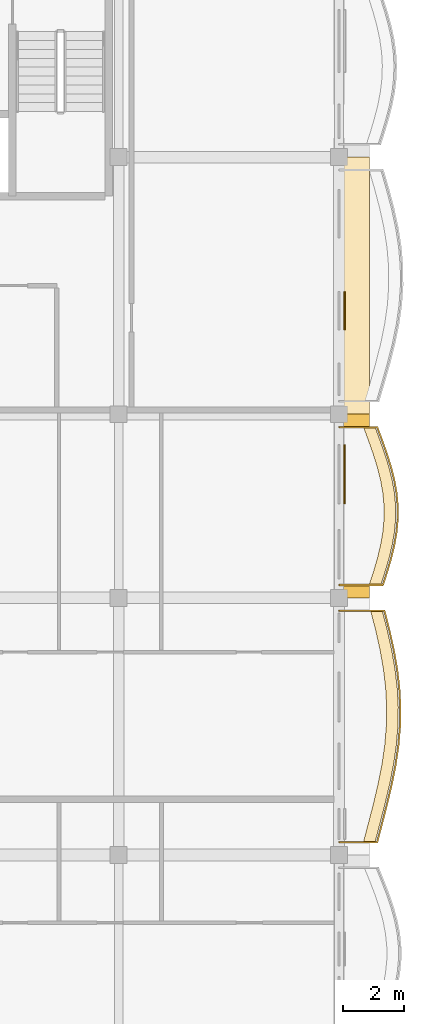
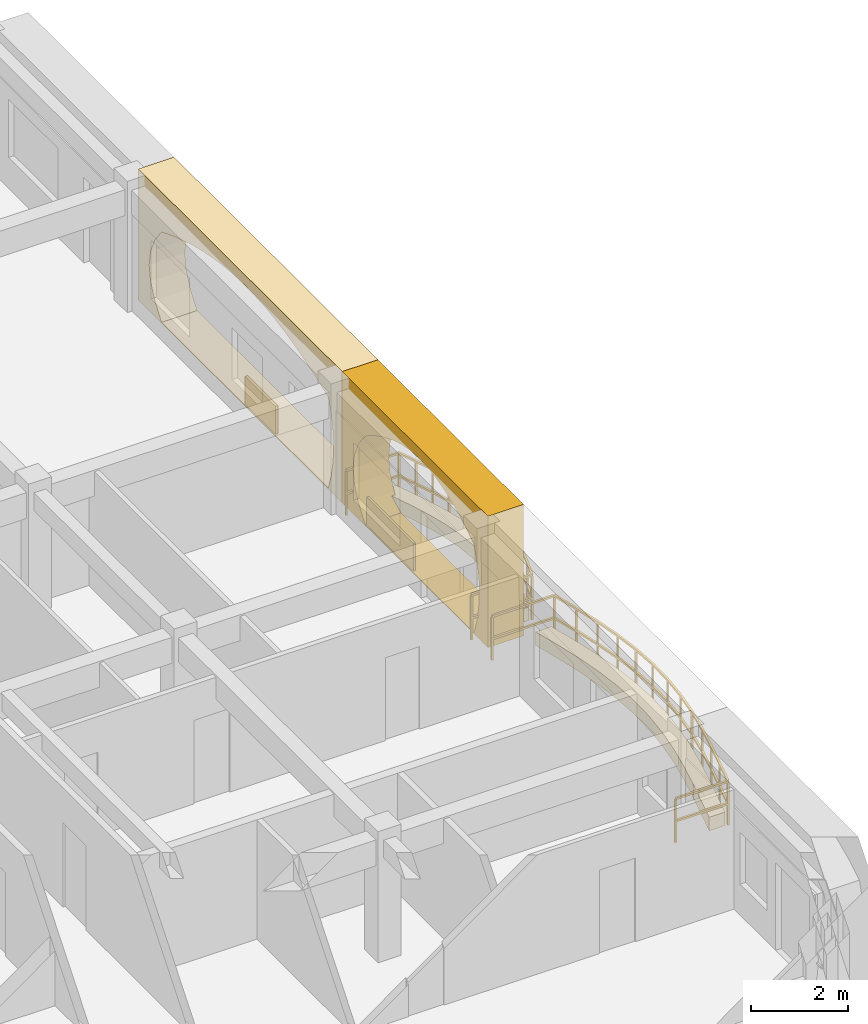
# One storey, part 72 of 79: 6 coverings, 2 railings.
"""IFC4 building model written with IfcOpenShell, lengths in metres."""

from ifc_helpers import new_model, si_unit, direction, frame, origin, origin_2d, place, context, subcontext, project, spatial, polyline, rectangle, outline, extrude, material, layer, layer_set, type_object, element, save


model = new_model("IFC4")

# Units and contexts
model_context = context("Model", 3, precision=1e-05, world=origin(), true_north=direction((0.0, 1.0)))
body_context = subcontext(model_context, "Body", "Model", "MODEL_VIEW")
ifc_project = project(units=[si_unit("LENGTHUNIT", "METRE"), si_unit("AREAUNIT", "SQUARE_METRE"), si_unit("VOLUMEUNIT", "CUBIC_METRE"), si_unit("PLANEANGLEUNIT", "RADIAN"), si_unit("MASSUNIT", "GRAM", prefix="KILO"), si_unit("THERMODYNAMICTEMPERATUREUNIT", "KELVIN")], contexts=[model_context])

# Site, building, storey
site_placement = place(None, origin())
site = spatial("IfcSite", under=ifc_project, at=site_placement, CompositionType="ELEMENT")
building_placement = place(site_placement, origin())
building = spatial("IfcBuilding", under=site, at=building_placement, Name="Thalorik Housing Commons", CompositionType="ELEMENT")
storey_placement = place(building_placement, frame((0.0, 0.0, 11.39990234375)))
storey = spatial("IfcBuildingStorey", under=building, at=storey_placement, Name="L03", CompositionType="ELEMENT", Elevation=11.39990234375)

# Coverings
ifc_material_1 = material(Name="Cobalt blue glazed ceramic facade tile panel", Category="masonry")
ifc_layer_1 = layer(ifc_material_1, 0.06005859375, Name="Cobalt blue glazed ceramic facade tile panel", Category="masonry")
ifc_layer_set_1 = layer_set([ifc_layer_1], Name="Cobalt blue glazed ceramic facade tile panel")
covering_type_1 = type_object("IfcCoveringType", Name="ARC-CLD-BLU-60", PredefinedType="CLADDING", material=ifc_layer_set_1)
covering_1_placement = place(storey_placement, frame((174.179931640625, 60.9775390625, 0.05029296875), z_axis=(0.0, 0.0, 1.0), x_axis=(0.0, 1.0, 0.0)))
element("IfcCovering", 1, at=covering_1_placement, inside=storey, type_object=covering_type_1, Name="L03 De Stijl Recessed Window Spandrel 4747", PredefinedType="CLADDING", context=body_context, shape_type="SweptSolid", body=[
    extrude(rectangle(XDim=1.25, YDim=0.06005859375, at=origin_2d()), origin(), (0.0, 0.0, 1.0), 0.699951171875),
])
ifc_material_2 = material(Name="Precast concrete C40/50", Category="concrete")
ifc_layer_2 = layer(ifc_material_2, 0.85009765625, Name="Precast concrete C40/50", Category="concrete")
ifc_layer_set_2 = layer_set([ifc_layer_2], Name="Precast concrete C40/50")
covering_type_2 = type_object("IfcCoveringType", Name="ARC-CLD-CUSH-850", PredefinedType="CLADDING", material=ifc_layer_set_2)
covering_2_placement = place(storey_placement, frame((174.570068359375, 54.60009765625, 0.0), z_axis=(0.0, 0.0, 1.0), x_axis=(0.0, 1.0, 0.0)))
element("IfcCovering", 2, at=covering_2_placement, inside=storey, type_object=covering_type_2, Name="L03 White Precast Curved Cushion Bay Frame 4744", PredefinedType="CLADDING", context=body_context, shape_type="SweptSolid", body=[
    extrude(outline(polyline([(-3.0, 0.0), (3.0, 0.0), (3.0, 3.300048828125), (-3.0, 3.300048828125), (-3.0, 0.0)]), holes=[polyline([(2.050048828125, 0.02490234375), (2.327880859375, 0.3974609375), (2.494384765625, 0.77001953125), (2.550048828125, 1.142578125), (2.494384765625, 1.514892578125), (2.327880859375, 1.887451171875), (2.050048828125, 2.260009765625), (1.6767578125, 2.497314453125), (1.30322265625, 2.683837890625), (0.929931640625, 2.8349609375), (0.556640625, 2.947265625), (0.183349609375, 3.0166015625), (-0.18994140625, 3.0400390625), (-0.563232421875, 3.0166015625), (-0.936767578125, 2.947265625), (-1.31005859375, 2.8349609375), (-1.683349609375, 2.683837890625), (-2.056640625, 2.497314453125), (-2.429931640625, 2.260009765625), (-2.55029296875, 1.887451171875), (-2.62255859375, 1.514892578125), (-2.646484375, 1.142578125), (-2.62255859375, 0.77001953125), (-2.55029296875, 0.3974609375), (-2.429931640625, 0.02490234375), (2.050048828125, 0.02490234375)])]), frame((0.0, 0.425048828125, 0.0), z_axis=(0.0, -1.0, 0.0), x_axis=(1.0, 0.0, 0.0)), (0.0, 0.0, 1.0), 0.85009765625),
])
covering_3_placement = place(storey_placement, frame((174.570068359375, 61.800048828125, 0.0), z_axis=(0.0, 0.0, 1.0), x_axis=(0.0, 1.0, 0.0)))
element("IfcCovering", 3, at=covering_3_placement, inside=storey, type_object=covering_type_2, Name="L03 White Precast Curved Cushion Bay Frame 4746", PredefinedType="CLADDING", context=body_context, shape_type="SweptSolid", body=[
    extrude(outline(polyline([(-4.199951171875, 0.0), (4.199951171875, 0.0), (4.199951171875, 3.300048828125), (-4.199951171875, 3.300048828125), (-4.199951171875, 0.0)]), holes=[polyline([(3.239990234375, 0.02490234375), (3.523193359375, 0.404296875), (3.693359375, 0.783203125), (3.75, 1.16259765625), (3.693359375, 1.541748046875), (3.523193359375, 1.9208984375), (3.239990234375, 2.300048828125), (2.66748046875, 2.525390625), (2.094970703125, 2.7021484375), (1.5224609375, 2.845458984375), (0.949951171875, 2.951904296875), (0.37744140625, 3.017822265625), (-0.195068359375, 3.0400390625), (-0.767578125, 3.017822265625), (-1.340087890625, 2.951904296875), (-1.91259765625, 2.845458984375), (-2.485107421875, 2.7021484375), (-3.0576171875, 2.525390625), (-3.6298828125, 2.300048828125), (-3.750244140625, 1.9208984375), (-3.822509765625, 1.541748046875), (-3.8466796875, 1.16259765625), (-3.822509765625, 0.783203125), (-3.750244140625, 0.404296875), (-3.6298828125, 0.02490234375), (3.239990234375, 0.02490234375)])]), frame((0.0, 0.425048828125, 0.0), z_axis=(0.0, -1.0, 0.0), x_axis=(1.0, 0.0, 0.0)), (0.0, 0.0, 1.0), 0.85009765625),
])
ifc_material_3 = material(Name="Terracotta red mineral fibre-cement panel", Category="masonry")
ifc_layer_3 = layer(ifc_material_3, 0.054931640625, Name="Terracotta red mineral fibre-cement panel", Category="masonry")
ifc_layer_set_3 = layer_set([ifc_layer_3], Name="Terracotta red mineral fibre-cement panel")
covering_type_3 = type_object("IfcCoveringType", Name="ARC-CLD-RED-55", PredefinedType="CLADDING", material=ifc_layer_set_3)
covering_4_placement = place(storey_placement, frame((174.177490234375, 55.639892578125, 0.05029296875), z_axis=(0.0, 0.0, 1.0), x_axis=(0.0, 1.0, 0.0)))
element("IfcCovering", 4, at=covering_4_placement, inside=storey, type_object=covering_type_3, Name="L03 De Stijl Recessed Window Spandrel 4745", PredefinedType="CLADDING", context=body_context, shape_type="SweptSolid", body=[
    extrude(rectangle(XDim=1.919921875, YDim=0.054931640625, at=origin_2d()), origin(), (0.0, 0.0, 1.0), 0.699951171875),
])
ifc_material_4 = material(Name="Planted vegetated substrate and terracotta trough", Category="masonry")
ifc_layer_4 = layer(ifc_material_4, 0.340087890625, Name="Planted vegetated substrate and terracotta trough", Category="masonry")
ifc_layer_set_4 = layer_set([ifc_layer_4], Name="Planted vegetated substrate and terracotta trough")
covering_type_4 = type_object("IfcCoveringType", Name="ARC-COV-PLANTER", PredefinedType="USERDEFINED", material=ifc_layer_set_4)
covering_5_placement = place(storey_placement, origin())
element("IfcCovering", 5, at=covering_5_placement, inside=storey, type_object=covering_type_4, Name="L03 Balcony Slab-Edge Planted Trough 5656", ObjectType="PLANTER", PredefinedType="USERDEFINED", context=body_context, shape_type="SweptSolid", body=[
    extrude(outline(polyline([(175.18017578125, 43.6201171875), (175.3447265625, 44.25), (175.5068359375, 44.8798828125), (175.65576171875, 45.510009765625), (175.780517578125, 46.139892578125), (175.873046875, 46.77001953125), (175.926513671875, 47.39990234375), (175.93701171875, 48.030029296875), (175.90380859375, 48.659912109375), (175.828857421875, 49.2900390625), (175.71728515625, 49.919921875), (175.576171875, 50.550048828125), (175.415283203125, 51.179931640625), (175.035400390625, 51.179931640625), (175.196044921875, 50.550048828125), (175.337158203125, 49.919921875), (175.448974609375, 49.2900390625), (175.52392578125, 48.659912109375), (175.55712890625, 48.030029296875), (175.54638671875, 47.39990234375), (175.4931640625, 46.77001953125), (175.400634765625, 46.139892578125), (175.275634765625, 45.510009765625), (175.126953125, 44.8798828125), (174.964599609375, 44.25), (174.80029296875, 43.6201171875), (175.18017578125, 43.6201171875)])), origin(), (0.0, 0.0, 1.0), 0.340087890625),
])
covering_6_placement = place(storey_placement, origin())
element("IfcCovering", 6, at=covering_6_placement, inside=storey, type_object=covering_type_4, Name="L03 Balcony Slab-Edge Planted Trough 5657", ObjectType="PLANTER", PredefinedType="USERDEFINED", context=body_context, shape_type="SweptSolid", body=[
    extrude(outline(polyline([(175.366455078125, 52.02001953125), (175.50537109375, 52.449951171875), (175.6318359375, 52.8798828125), (175.736328125, 53.31005859375), (175.811279296875, 53.739990234375), (175.850830078125, 54.169921875), (175.8515625, 54.60009765625), (175.8125, 55.030029296875), (175.73583984375, 55.4599609375), (175.62646484375, 55.889892578125), (175.4912109375, 56.320068359375), (175.339111328125, 56.75), (175.180419921875, 57.179931640625), (174.80029296875, 57.179931640625), (174.958984375, 56.75), (175.111083984375, 56.320068359375), (175.246337890625, 55.889892578125), (175.35595703125, 55.4599609375), (175.4326171875, 55.030029296875), (175.471435546875, 54.60009765625), (175.470947265625, 54.169921875), (175.431396484375, 53.739990234375), (175.3564453125, 53.31005859375), (175.251708984375, 52.8798828125), (175.125244140625, 52.449951171875), (174.986328125, 52.02001953125), (175.366455078125, 52.02001953125)])), origin(), (0.0, 0.0, 1.0), 0.340087890625),
])

# Railings
ifc_material_5 = material(Name="Steel S355", Category="steel")
railing_type_1 = type_object("IfcRailingType", Name="ARC-RL-BAL-112", PredefinedType="BALUSTRADE", material=ifc_material_5)
railing_1_placement = place(storey_placement, frame((174.0, 43.6201171875, 0.0)))
element("IfcRailing", 7, at=railing_1_placement, inside=storey, type_object=railing_type_1, Name="L03 Cushion Balcony Guardrail 340", PredefinedType="BALUSTRADE", context=body_context, shape_type="SweptSolid", body=[
    extrude(rectangle(XDim=0.050048828125, YDim=0.050048828125, at=origin_2d()), frame((0.0, 0.0, 1.09521484375), z_axis=(1.0, 0.0, 0.0), x_axis=(0.0, 1.0, 0.0)), (0.0, 0.0, 1.0), 1.250244140625),
    extrude(rectangle(XDim=0.050048828125, YDim=0.050048828125, at=origin_2d()), frame((0.0, 0.0, 0.53515625), z_axis=(1.0, 0.0, 0.0), x_axis=(0.0, 1.0, 0.0)), (0.0, 0.0, 1.0), 1.250244140625),
    extrude(rectangle(XDim=0.050048828125, YDim=0.050048828125, at=origin_2d()), frame((1.250244140625, 0.0, 1.09521484375), z_axis=(0.252757732925, 0.967529600812, 0.0), x_axis=(-0.967529600812, 0.252757732925, 0.0)), (0.0, 0.0, 1.0), 0.651123046875),
    extrude(rectangle(XDim=0.050048828125, YDim=0.050048828125, at=origin_2d()), frame((1.250244140625, 0.0, 0.53515625), z_axis=(0.252757732925, 0.967529600812, 0.0), x_axis=(-0.967529600812, 0.252757732925, 0.0)), (0.0, 0.0, 1.0), 0.651123046875),
    extrude(rectangle(XDim=0.050048828125, YDim=0.050048828125, at=origin_2d()), frame((1.414794921875, 0.6298828125, 1.09521484375), z_axis=(0.24924222537, 0.968441176888, 0.0), x_axis=(-0.968441176888, 0.24924222537, 0.0)), (0.0, 0.0, 1.0), 0.650390625),
    extrude(rectangle(XDim=0.050048828125, YDim=0.050048828125, at=origin_2d()), frame((1.414794921875, 0.6298828125, 0.53515625), z_axis=(0.24924222537, 0.968441176888, 0.0), x_axis=(-0.968441176888, 0.24924222537, 0.0)), (0.0, 0.0, 1.0), 0.650390625),
    extrude(rectangle(XDim=0.050048828125, YDim=0.050048828125, at=origin_2d()), frame((1.576904296875, 1.259765625, 1.09521484375), z_axis=(0.2296488173, 0.973273559033, 0.0), x_axis=(-0.973273559033, 0.2296488173, 0.0)), (0.0, 0.0, 1.0), 0.6474609375),
    extrude(rectangle(XDim=0.050048828125, YDim=0.050048828125, at=origin_2d()), frame((1.576904296875, 1.259765625, 0.53515625), z_axis=(0.2296488173, 0.973273559033, 0.0), x_axis=(-0.973273559033, 0.2296488173, 0.0)), (0.0, 0.0, 1.0), 0.6474609375),
    extrude(rectangle(XDim=0.050048828125, YDim=0.050048828125, at=origin_2d()), frame((1.7255859375, 1.889892578125, 1.09521484375), z_axis=(0.194653674939, 0.980872033872, 0.0), x_axis=(-0.980872033872, 0.194653674939, 0.0)), (0.0, 0.0, 1.0), 0.64208984375),
    extrude(rectangle(XDim=0.050048828125, YDim=0.050048828125, at=origin_2d()), frame((1.7255859375, 1.889892578125, 0.53515625), z_axis=(0.194653674939, 0.980872033872, 0.0), x_axis=(-0.980872033872, 0.194653674939, 0.0)), (0.0, 0.0, 1.0), 0.64208984375),
    extrude(rectangle(XDim=0.050048828125, YDim=0.050048828125, at=origin_2d()), frame((1.8505859375, 2.519775390625, 1.09521484375), z_axis=(0.145284304764, 0.989389948801, 0.0), x_axis=(-0.989389948801, 0.145284304764, 0.0)), (0.0, 0.0, 1.0), 0.636962890625),
    extrude(rectangle(XDim=0.050048828125, YDim=0.050048828125, at=origin_2d()), frame((1.8505859375, 2.519775390625, 0.53515625), z_axis=(0.145284304764, 0.989389948801, 0.0), x_axis=(-0.989389948801, 0.145284304764, 0.0)), (0.0, 0.0, 1.0), 0.636962890625),
    extrude(rectangle(XDim=0.050048828125, YDim=0.050048828125, at=origin_2d()), frame((1.943115234375, 3.14990234375, 1.09521484375), z_axis=(0.084579559566, 0.996416729137, 0.0), x_axis=(-0.996416729137, 0.084579559566, 0.0)), (0.0, 0.0, 1.0), 0.632080078125),
    extrude(rectangle(XDim=0.050048828125, YDim=0.050048828125, at=origin_2d()), frame((1.943115234375, 3.14990234375, 0.53515625), z_axis=(0.084579559566, 0.996416729137, 0.0), x_axis=(-0.996416729137, 0.084579559566, 0.0)), (0.0, 0.0, 1.0), 0.632080078125),
    extrude(rectangle(XDim=0.050048828125, YDim=0.050048828125, at=origin_2d()), frame((1.99658203125, 3.77978515625, 1.09521484375), z_axis=(0.016657897577, 0.999861247598, 0.0), x_axis=(-0.999861247598, 0.016657897577, 0.0)), (0.0, 0.0, 1.0), 0.630126953125),
    extrude(rectangle(XDim=0.050048828125, YDim=0.050048828125, at=origin_2d()), frame((1.99658203125, 3.77978515625, 0.53515625), z_axis=(0.016657897577, 0.999861247598, 0.0), x_axis=(-0.999861247598, 0.016657897577, 0.0)), (0.0, 0.0, 1.0), 0.630126953125),
    extrude(rectangle(XDim=0.050048828125, YDim=0.050048828125, at=origin_2d()), frame((2.007080078125, 4.409912109375, 1.09521484375), z_axis=(-0.052640094062, 0.998613549126, 0.0), x_axis=(-0.998613549126, -0.052640094062, 0.0)), (0.0, 0.0, 1.0), 0.630859375),
    extrude(rectangle(XDim=0.050048828125, YDim=0.050048828125, at=origin_2d()), frame((2.007080078125, 4.409912109375, 0.53515625), z_axis=(-0.052640094062, 0.998613549126, 0.0), x_axis=(-0.998613549126, -0.052640094062, 0.0)), (0.0, 0.0, 1.0), 0.630859375),
    extrude(rectangle(XDim=0.050048828125, YDim=0.050048828125, at=origin_2d()), frame((1.973876953125, 5.039794921875, 1.09521484375), z_axis=(-0.118113533463, 0.993000097287, 0.0), x_axis=(-0.993000097287, -0.118113533463, 0.0)), (0.0, 0.0, 1.0), 0.634521484375),
    extrude(rectangle(XDim=0.050048828125, YDim=0.050048828125, at=origin_2d()), frame((1.973876953125, 5.039794921875, 0.53515625), z_axis=(-0.118113533463, 0.993000097287, 0.0), x_axis=(-0.993000097287, -0.118113533463, 0.0)), (0.0, 0.0, 1.0), 0.634521484375),
    extrude(rectangle(XDim=0.050048828125, YDim=0.050048828125, at=origin_2d()), frame((1.89892578125, 5.669921875, 1.09521484375), z_axis=(-0.174786703576, 0.984606321457, 0.0), x_axis=(-0.984606321457, -0.174786703576, 0.0)), (0.0, 0.0, 1.0), 0.6396484375),
    extrude(rectangle(XDim=0.050048828125, YDim=0.050048828125, at=origin_2d()), frame((1.89892578125, 5.669921875, 0.53515625), z_axis=(-0.174786703576, 0.984606321457, 0.0), x_axis=(-0.984606321457, -0.174786703576, 0.0)), (0.0, 0.0, 1.0), 0.6396484375),
    extrude(rectangle(XDim=0.050048828125, YDim=0.050048828125, at=origin_2d()), frame((1.787109375, 6.2998046875, 1.09521484375), z_axis=(-0.218531454868, 0.975829904867, 0.0), x_axis=(-0.975829904867, -0.218531454868, 0.0)), (0.0, 0.0, 1.0), 0.645751953125),
    extrude(rectangle(XDim=0.050048828125, YDim=0.050048828125, at=origin_2d()), frame((1.787109375, 6.2998046875, 0.53515625), z_axis=(-0.218531454868, 0.975829904867, 0.0), x_axis=(-0.975829904867, -0.218531454868, 0.0)), (0.0, 0.0, 1.0), 0.645751953125),
    extrude(rectangle(XDim=0.050048828125, YDim=0.050048828125, at=origin_2d()), frame((1.64599609375, 6.929931640625, 1.09521484375), z_axis=(-0.247128171494, 0.968982800082, 0.0), x_axis=(-0.968982800082, -0.247128171494, 0.0)), (0.0, 0.0, 1.0), 0.650146484375),
    extrude(rectangle(XDim=0.050048828125, YDim=0.050048828125, at=origin_2d()), frame((1.64599609375, 6.929931640625, 0.53515625), z_axis=(-0.247128171494, 0.968982800082, 0.0), x_axis=(-0.968982800082, -0.247128171494, 0.0)), (0.0, 0.0, 1.0), 0.650146484375),
    extrude(rectangle(XDim=0.050048828125, YDim=0.050048828125, at=origin_2d()), frame((1.4853515625, 7.559814453125, 1.09521484375), z_axis=(-1.0, 0.0, 0.0), x_axis=(0.0, -1.0, 0.0)), (0.0, 0.0, 1.0), 1.4853515625),
    extrude(rectangle(XDim=0.050048828125, YDim=0.050048828125, at=origin_2d()), frame((1.4853515625, 7.559814453125, 0.53515625), z_axis=(-1.0, 0.0, 0.0), x_axis=(0.0, -1.0, 0.0)), (0.0, 0.0, 1.0), 1.4853515625),
    extrude(rectangle(XDim=0.0419921875, YDim=0.0419921875, at=origin_2d()), origin(), (0.0, 0.0, 1.0), 1.070068359375),
    extrude(rectangle(XDim=0.0419921875, YDim=0.0419921875, at=origin_2d()), frame((1.250244140625, 0.0, 0.0)), (0.0, 0.0, 1.0), 1.070068359375),
    extrude(rectangle(XDim=0.0419921875, YDim=0.0419921875, at=origin_2d()), frame((1.414794921875, 0.6298828125, 0.0)), (0.0, 0.0, 1.0), 1.070068359375),
    extrude(rectangle(XDim=0.0419921875, YDim=0.0419921875, at=origin_2d()), frame((1.576904296875, 1.259765625, 0.0)), (0.0, 0.0, 1.0), 1.070068359375),
    extrude(rectangle(XDim=0.0419921875, YDim=0.0419921875, at=origin_2d()), frame((1.7255859375, 1.889892578125, 0.0)), (0.0, 0.0, 1.0), 1.070068359375),
    extrude(rectangle(XDim=0.0419921875, YDim=0.0419921875, at=origin_2d()), frame((1.8505859375, 2.519775390625, 0.0)), (0.0, 0.0, 1.0), 1.070068359375),
    extrude(rectangle(XDim=0.0419921875, YDim=0.0419921875, at=origin_2d()), frame((1.943115234375, 3.14990234375, 0.0)), (0.0, 0.0, 1.0), 1.070068359375),
    extrude(rectangle(XDim=0.0419921875, YDim=0.0419921875, at=origin_2d()), frame((1.99658203125, 3.77978515625, 0.0)), (0.0, 0.0, 1.0), 1.070068359375),
    extrude(rectangle(XDim=0.0419921875, YDim=0.0419921875, at=origin_2d()), frame((2.007080078125, 4.409912109375, 0.0)), (0.0, 0.0, 1.0), 1.070068359375),
    extrude(rectangle(XDim=0.0419921875, YDim=0.0419921875, at=origin_2d()), frame((1.973876953125, 5.039794921875, 0.0)), (0.0, 0.0, 1.0), 1.070068359375),
    extrude(rectangle(XDim=0.0419921875, YDim=0.0419921875, at=origin_2d()), frame((1.89892578125, 5.669921875, 0.0)), (0.0, 0.0, 1.0), 1.070068359375),
    extrude(rectangle(XDim=0.0419921875, YDim=0.0419921875, at=origin_2d()), frame((1.787109375, 6.2998046875, 0.0)), (0.0, 0.0, 1.0), 1.070068359375),
    extrude(rectangle(XDim=0.0419921875, YDim=0.0419921875, at=origin_2d()), frame((1.64599609375, 6.929931640625, 0.0)), (0.0, 0.0, 1.0), 1.070068359375),
    extrude(rectangle(XDim=0.0419921875, YDim=0.0419921875, at=origin_2d()), frame((1.4853515625, 7.559814453125, 0.0)), (0.0, 0.0, 1.0), 1.070068359375),
    extrude(rectangle(XDim=0.0419921875, YDim=0.0419921875, at=origin_2d()), frame((0.0, 7.559814453125, 0.0)), (0.0, 0.0, 1.0), 1.070068359375),
])
railing_type_2 = type_object("IfcRailingType", Name="ARC-RL-BAL-115", PredefinedType="BALUSTRADE", material=ifc_material_5)
railing_2_placement = place(storey_placement, frame((174.0, 52.02001953125, 0.0)))
element("IfcRailing", 8, at=railing_2_placement, inside=storey, type_object=railing_type_2, Name="L03 Cushion Balcony Guardrail 341", PredefinedType="BALUSTRADE", context=body_context, shape_type="SweptSolid", body=[
    extrude(rectangle(XDim=0.050048828125, YDim=0.050048828125, at=origin_2d()), frame((0.0, 0.0, 1.125), z_axis=(1.0, 0.0, 0.0), x_axis=(0.0, 1.0, 0.0)), (0.0, 0.0, 1.0), 1.436279296875),
    extrude(rectangle(XDim=0.050048828125, YDim=0.050048828125, at=origin_2d()), frame((0.0, 0.0, 0.5498046875), z_axis=(1.0, 0.0, 0.0), x_axis=(0.0, 1.0, 0.0)), (0.0, 0.0, 1.0), 1.436279296875),
    extrude(rectangle(XDim=0.050048828125, YDim=0.050048828125, at=origin_2d()), frame((1.436279296875, 0.0, 1.125), z_axis=(0.307460592586, 0.951560814665, 0.0), x_axis=(-0.951560814665, 0.307460592586, 0.0)), (0.0, 0.0, 1.0), 0.451904296875),
    extrude(rectangle(XDim=0.050048828125, YDim=0.050048828125, at=origin_2d()), frame((1.436279296875, 0.0, 0.5498046875), z_axis=(0.307460592586, 0.951560814665, 0.0), x_axis=(-0.951560814665, 0.307460592586, 0.0)), (0.0, 0.0, 1.0), 0.451904296875),
    extrude(rectangle(XDim=0.050048828125, YDim=0.050048828125, at=origin_2d()), frame((1.5751953125, 0.429931640625, 1.125), z_axis=(0.28269709896, 0.959209231732, 0.0), x_axis=(-0.959209231732, 0.28269709896, 0.0)), (0.0, 0.0, 1.0), 0.4482421875),
    extrude(rectangle(XDim=0.050048828125, YDim=0.050048828125, at=origin_2d()), frame((1.5751953125, 0.429931640625, 0.5498046875), z_axis=(0.28269709896, 0.959209231732, 0.0), x_axis=(-0.959209231732, 0.28269709896, 0.0)), (0.0, 0.0, 1.0), 0.4482421875),
    extrude(rectangle(XDim=0.050048828125, YDim=0.050048828125, at=origin_2d()), frame((1.701904296875, 0.85986328125, 1.125), z_axis=(0.236041966504, 0.971742862103, 0.0), x_axis=(-0.971742862103, 0.236041966504, 0.0)), (0.0, 0.0, 1.0), 0.442626953125),
    extrude(rectangle(XDim=0.050048828125, YDim=0.050048828125, at=origin_2d()), frame((1.701904296875, 0.85986328125, 0.5498046875), z_axis=(0.236041966504, 0.971742862103, 0.0), x_axis=(-0.971742862103, 0.236041966504, 0.0)), (0.0, 0.0, 1.0), 0.442626953125),
    extrude(rectangle(XDim=0.050048828125, YDim=0.050048828125, at=origin_2d()), frame((1.806396484375, 1.2900390625, 1.125), z_axis=(0.171742507217, 0.985141873648, 0.0), x_axis=(-0.985141873648, 0.171742507217, 0.0)), (0.0, 0.0, 1.0), 0.4365234375),
    extrude(rectangle(XDim=0.050048828125, YDim=0.050048828125, at=origin_2d()), frame((1.806396484375, 1.2900390625, 0.5498046875), z_axis=(0.171742507217, 0.985141873648, 0.0), x_axis=(-0.985141873648, 0.171742507217, 0.0)), (0.0, 0.0, 1.0), 0.4365234375),
    extrude(rectangle(XDim=0.050048828125, YDim=0.050048828125, at=origin_2d()), frame((1.88134765625, 1.719970703125, 1.125), z_axis=(0.091606381543, 0.995795295661, 0.0), x_axis=(-0.995795295661, 0.091606381543, 0.0)), (0.0, 0.0, 1.0), 0.431640625),
    extrude(rectangle(XDim=0.050048828125, YDim=0.050048828125, at=origin_2d()), frame((1.88134765625, 1.719970703125, 0.5498046875), z_axis=(0.091606381543, 0.995795295661, 0.0), x_axis=(-0.995795295661, 0.091606381543, 0.0)), (0.0, 0.0, 1.0), 0.431640625),
    extrude(rectangle(XDim=0.050048828125, YDim=0.050048828125, at=origin_2d()), frame((1.9208984375, 2.14990234375, 1.125), z_axis=(0.001135073049, 0.999999355804, 0.0), x_axis=(-0.999999355804, 0.001135073049, 0.0)), (0.0, 0.0, 1.0), 0.43017578125),
    extrude(rectangle(XDim=0.050048828125, YDim=0.050048828125, at=origin_2d()), frame((1.9208984375, 2.14990234375, 0.5498046875), z_axis=(0.001135073049, 0.999999355804, 0.0), x_axis=(-0.999999355804, 0.001135073049, 0.0)), (0.0, 0.0, 1.0), 0.43017578125),
    extrude(rectangle(XDim=0.050048828125, YDim=0.050048828125, at=origin_2d()), frame((1.92138671875, 2.580078125, 1.125), z_axis=(-0.089923813119, 0.995948647187, 0.0), x_axis=(-0.995948647187, -0.089923813119, 0.0)), (0.0, 0.0, 1.0), 0.431640625),
    extrude(rectangle(XDim=0.050048828125, YDim=0.050048828125, at=origin_2d()), frame((1.92138671875, 2.580078125, 0.5498046875), z_axis=(-0.089923813119, 0.995948647187, 0.0), x_axis=(-0.995948647187, -0.089923813119, 0.0)), (0.0, 0.0, 1.0), 0.431640625),
    extrude(rectangle(XDim=0.050048828125, YDim=0.050048828125, at=origin_2d()), frame((1.882568359375, 3.010009765625, 1.125), z_axis=(-0.175539098525, 0.984472460198, 0.0), x_axis=(-0.984472460198, -0.175539098525, 0.0)), (0.0, 0.0, 1.0), 0.436767578125),
    extrude(rectangle(XDim=0.050048828125, YDim=0.050048828125, at=origin_2d()), frame((1.882568359375, 3.010009765625, 0.5498046875), z_axis=(-0.175539098525, 0.984472460198, 0.0), x_axis=(-0.984472460198, -0.175539098525, 0.0)), (0.0, 0.0, 1.0), 0.436767578125),
    extrude(rectangle(XDim=0.050048828125, YDim=0.050048828125, at=origin_2d()), frame((1.805908203125, 3.43994140625, 1.125), z_axis=(-0.247064490889, 0.968999038876, 0.0), x_axis=(-0.968999038876, -0.247064490889, 0.0)), (0.0, 0.0, 1.0), 0.443603515625),
    extrude(rectangle(XDim=0.050048828125, YDim=0.050048828125, at=origin_2d()), frame((1.805908203125, 3.43994140625, 0.5498046875), z_axis=(-0.247064490889, 0.968999038876, 0.0), x_axis=(-0.968999038876, -0.247064490889, 0.0)), (0.0, 0.0, 1.0), 0.443603515625),
    extrude(rectangle(XDim=0.050048828125, YDim=0.050048828125, at=origin_2d()), frame((1.6962890625, 3.869873046875, 1.125), z_axis=(-0.29944640042, 0.954113123941, 0.0), x_axis=(-0.954113123941, -0.29944640042, 0.0)), (0.0, 0.0, 1.0), 0.450927734375),
    extrude(rectangle(XDim=0.050048828125, YDim=0.050048828125, at=origin_2d()), frame((1.6962890625, 3.869873046875, 0.5498046875), z_axis=(-0.29944640042, 0.954113123941, 0.0), x_axis=(-0.954113123941, -0.29944640042, 0.0)), (0.0, 0.0, 1.0), 0.450927734375),
    extrude(rectangle(XDim=0.050048828125, YDim=0.050048828125, at=origin_2d()), frame((1.561279296875, 4.300048828125, 1.125), z_axis=(-0.333520092889, 0.942742991297, 0.0), x_axis=(-0.942742991297, -0.333520092889, 0.0)), (0.0, 0.0, 1.0), 0.4560546875),
    extrude(rectangle(XDim=0.050048828125, YDim=0.050048828125, at=origin_2d()), frame((1.561279296875, 4.300048828125, 0.5498046875), z_axis=(-0.333520092889, 0.942742991297, 0.0), x_axis=(-0.942742991297, -0.333520092889, 0.0)), (0.0, 0.0, 1.0), 0.4560546875),
    extrude(rectangle(XDim=0.050048828125, YDim=0.050048828125, at=origin_2d()), frame((1.4091796875, 4.72998046875, 1.125), z_axis=(-0.346273105467, 0.938133751887, 0.0), x_axis=(-0.938133751887, -0.346273105467, 0.0)), (0.0, 0.0, 1.0), 0.458251953125),
    extrude(rectangle(XDim=0.050048828125, YDim=0.050048828125, at=origin_2d()), frame((1.4091796875, 4.72998046875, 0.5498046875), z_axis=(-0.346273105467, 0.938133751887, 0.0), x_axis=(-0.938133751887, -0.346273105467, 0.0)), (0.0, 0.0, 1.0), 0.458251953125),
    extrude(rectangle(XDim=0.050048828125, YDim=0.050048828125, at=origin_2d()), frame((1.25048828125, 5.159912109375, 1.125), z_axis=(-1.0, 0.0, 0.0), x_axis=(0.0, -1.0, 0.0)), (0.0, 0.0, 1.0), 1.25048828125),
    extrude(rectangle(XDim=0.050048828125, YDim=0.050048828125, at=origin_2d()), frame((1.25048828125, 5.159912109375, 0.5498046875), z_axis=(-1.0, 0.0, 0.0), x_axis=(0.0, -1.0, 0.0)), (0.0, 0.0, 1.0), 1.25048828125),
    extrude(rectangle(XDim=0.0419921875, YDim=0.0419921875, at=origin_2d()), origin(), (0.0, 0.0, 1.0), 1.099853515625),
    extrude(rectangle(XDim=0.0419921875, YDim=0.0419921875, at=origin_2d()), frame((1.436279296875, 0.0, 0.0)), (0.0, 0.0, 1.0), 1.099853515625),
    extrude(rectangle(XDim=0.0419921875, YDim=0.0419921875, at=origin_2d()), frame((1.5751953125, 0.429931640625, 0.0)), (0.0, 0.0, 1.0), 1.099853515625),
    extrude(rectangle(XDim=0.0419921875, YDim=0.0419921875, at=origin_2d()), frame((1.701904296875, 0.85986328125, 0.0)), (0.0, 0.0, 1.0), 1.099853515625),
    extrude(rectangle(XDim=0.0419921875, YDim=0.0419921875, at=origin_2d()), frame((1.806396484375, 1.2900390625, 0.0)), (0.0, 0.0, 1.0), 1.099853515625),
    extrude(rectangle(XDim=0.0419921875, YDim=0.0419921875, at=origin_2d()), frame((1.88134765625, 1.719970703125, 0.0)), (0.0, 0.0, 1.0), 1.099853515625),
    extrude(rectangle(XDim=0.0419921875, YDim=0.0419921875, at=origin_2d()), frame((1.9208984375, 2.14990234375, 0.0)), (0.0, 0.0, 1.0), 1.099853515625),
    extrude(rectangle(XDim=0.0419921875, YDim=0.0419921875, at=origin_2d()), frame((1.92138671875, 2.580078125, 0.0)), (0.0, 0.0, 1.0), 1.099853515625),
    extrude(rectangle(XDim=0.0419921875, YDim=0.0419921875, at=origin_2d()), frame((1.882568359375, 3.010009765625, 0.0)), (0.0, 0.0, 1.0), 1.099853515625),
    extrude(rectangle(XDim=0.0419921875, YDim=0.0419921875, at=origin_2d()), frame((1.805908203125, 3.43994140625, 0.0)), (0.0, 0.0, 1.0), 1.099853515625),
    extrude(rectangle(XDim=0.0419921875, YDim=0.0419921875, at=origin_2d()), frame((1.6962890625, 3.869873046875, 0.0)), (0.0, 0.0, 1.0), 1.099853515625),
    extrude(rectangle(XDim=0.0419921875, YDim=0.0419921875, at=origin_2d()), frame((1.561279296875, 4.300048828125, 0.0)), (0.0, 0.0, 1.0), 1.099853515625),
    extrude(rectangle(XDim=0.0419921875, YDim=0.0419921875, at=origin_2d()), frame((1.4091796875, 4.72998046875, 0.0)), (0.0, 0.0, 1.0), 1.099853515625),
    extrude(rectangle(XDim=0.0419921875, YDim=0.0419921875, at=origin_2d()), frame((1.25048828125, 5.159912109375, 0.0)), (0.0, 0.0, 1.0), 1.099853515625),
    extrude(rectangle(XDim=0.0419921875, YDim=0.0419921875, at=origin_2d()), frame((0.0, 5.159912109375, 0.0)), (0.0, 0.0, 1.0), 1.099853515625),
])

save(model, "model.ifc")
